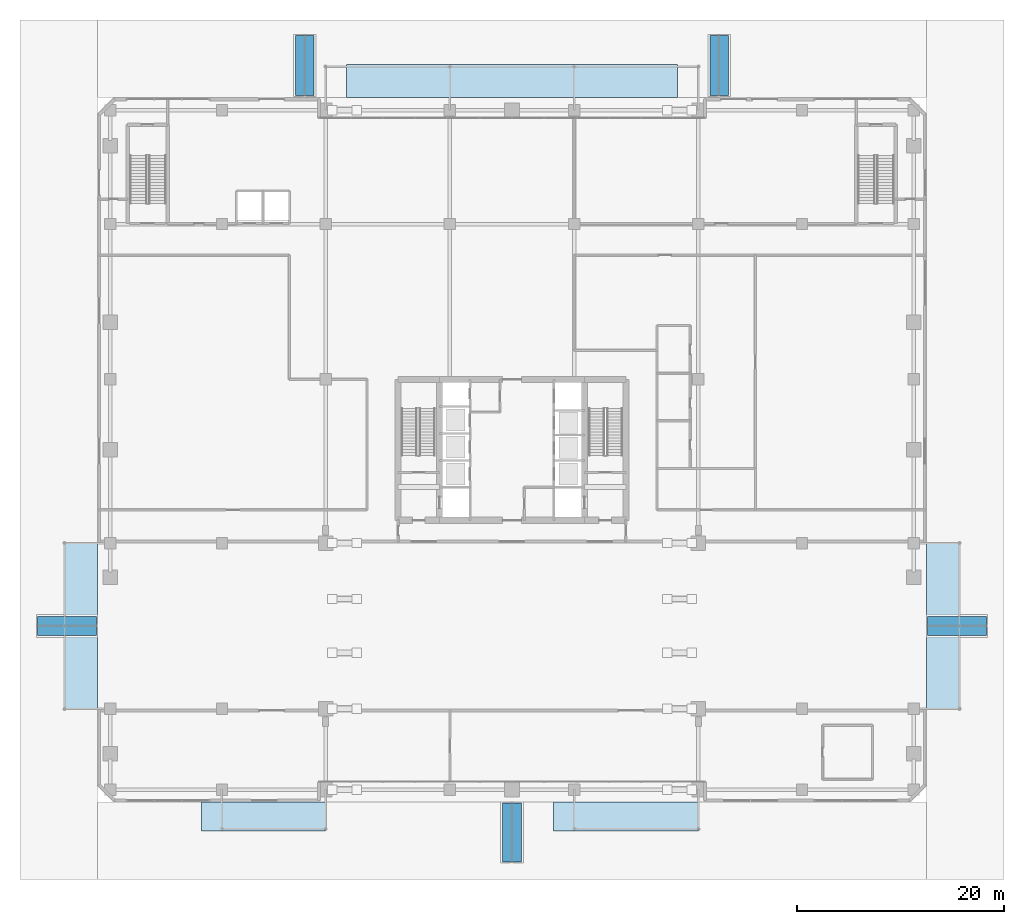
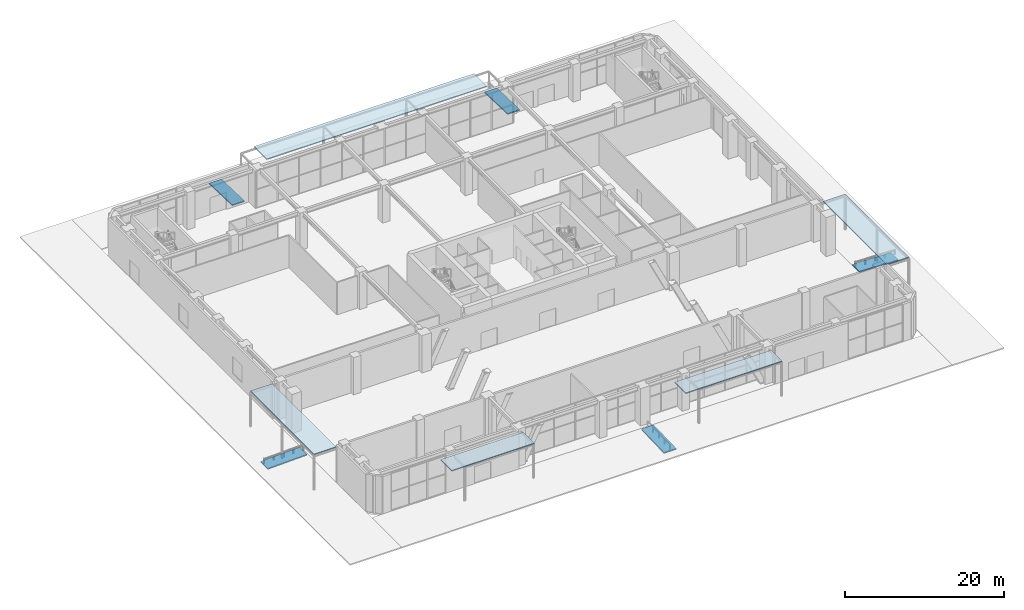
# One storey, part 41 of 49: 5 ramps, 5 ramp flights, 5 roofs.
"""IFC4 building model written with IfcOpenShell, lengths in metres."""

import ifcopenshell
import ifcopenshell.guid

model = None  # the IFC model being written
_history = None  # IfcOwnerHistory: only IFC2X3 demands one
_inside = {}  # id of a spatial element -> (the spatial element, [elements in it])
_under = {}  # id of a project, library or spatial element -> (it, [spatial elements below it])
_declared = {}  # id of a project -> (the project, [libraries it declares])
_typed = {}  # id of a type object -> (the type object, [elements of that type])
_made_of = {}  # id of a material, layer set ... -> (it, [elements and type objects made of it])


def new_model(schema):
    """Start an empty IFC model of exactly this schema.

    Asked for "IFC4X3", IfcOpenShell would pick the latest addendum, in which some entities
    have other attributes; the version numbers below select the first issue.
    IFC2X3 requires an IfcOwnerHistory on every rooted entity: one is made here for all.
    """
    global model, _history
    if schema == "IFC4X3":
        model = ifcopenshell.file(schema_version=(4, 3, 0, 0))
    else:
        model = ifcopenshell.file(schema=schema)
    _inside.clear()
    _under.clear()
    _declared.clear()
    _typed.clear()
    _made_of.clear()
    _history = None
    if model.schema == "IFC2X3":
        org = make("IfcOrganization", Name="unknown")
        user = make(
            "IfcPersonAndOrganization",
            ThePerson=make("IfcPerson", FamilyName="unknown"),
            TheOrganization=org,
        )
        app = make(
            "IfcApplication",
            ApplicationDeveloper=org,
            Version="unknown",
            ApplicationFullName="unknown",
            ApplicationIdentifier="unknown",
        )
        _history = make(
            "IfcOwnerHistory",
            OwningUser=user,
            OwningApplication=app,
            ChangeAction="ADDED",
            CreationDate=0,
        )
    return model


def make(cls, **values):
    """One entity of the class cls with the attributes given. An attribute that is None is left unset."""
    return model.create_entity(
        cls, **{name: value for name, value in values.items() if value is not None}
    )


def rooted(cls, **values):
    """An entity with a GlobalId (a new one), such as an element, a storey or a relation."""
    return make(cls, GlobalId=ifcopenshell.guid.new(), OwnerHistory=_history, **values)


def si_unit(unit_type, name, prefix=None):
    """IfcSIUnit, for example si_unit("LENGTHUNIT", "METRE", prefix="MILLI")."""
    return make("IfcSIUnit", UnitType=unit_type, Prefix=prefix, Name=name)


def assignment(units):
    """IfcUnitAssignment: the units of a project."""
    return None if units is None else make("IfcUnitAssignment", Units=units)


def point(xyz):
    """IfcCartesianPoint."""
    return None if xyz is None else make("IfcCartesianPoint", Coordinates=xyz)


def direction(xyz):
    """IfcDirection."""
    return None if xyz is None else make("IfcDirection", DirectionRatios=xyz)


def frame(location, z_axis=None, x_axis=None):
    """IfcAxis2Placement3D, a coordinate frame: its origin and axes. An axis left out is left unset."""
    return make(
        "IfcAxis2Placement3D",
        Location=point(location),
        Axis=direction(z_axis),
        RefDirection=direction(x_axis),
    )


def origin():
    """The frame at (0, 0, 0) with its axes left unset."""
    return frame((0.0, 0.0, 0.0))


def place(relative_to, where):
    """IfcLocalPlacement: puts the frame where relative to a parent placement (None: the world)."""
    return make(
        "IfcLocalPlacement", PlacementRelTo=relative_to, RelativePlacement=where
    )


def context(
    kind, dimensions, precision=None, world=None, true_north=None, identifier=None
):
    """IfcGeometricRepresentationContext, for example the 3D "Model" context."""
    return make(
        "IfcGeometricRepresentationContext",
        ContextIdentifier=identifier,
        ContextType=kind,
        CoordinateSpaceDimension=dimensions,
        Precision=precision,
        WorldCoordinateSystem=world,
        TrueNorth=true_north,
    )


def subcontext(parent, identifier, kind, view, scale=None):
    """IfcGeometricRepresentationSubContext, for example "Body" below "Model"."""
    return make(
        "IfcGeometricRepresentationSubContext",
        ContextIdentifier=identifier,
        ContextType=kind,
        ParentContext=parent,
        TargetScale=scale,
        TargetView=view,
    )


def project(units=None, contexts=None):
    """IfcProject with its units and contexts."""
    return rooted(
        "IfcProject",
        Name="project",
        RepresentationContexts=contexts,
        UnitsInContext=assignment(units),
    )


def spatial(cls, under=None, at=None, **own):
    """A site, building, storey or space (cls), placed at a placement, below another one or the project."""
    s = rooted(cls, ObjectPlacement=at, **own)
    if under is not None:
        _under.setdefault(under.id(), (under, []))[1].append(s)
    return s


def polyline(points):
    """IfcPolyline through the points."""
    return make("IfcPolyline", Points=[point(p) for p in points])


def outline(outer, holes=None, kind="AREA"):
    """IfcArbitraryClosedProfileDef: a profile drawn as a closed curve; with holes, ...WithVoids."""
    if holes is None:
        return make("IfcArbitraryClosedProfileDef", ProfileType=kind, OuterCurve=outer)
    return make(
        "IfcArbitraryProfileDefWithVoids",
        ProfileType=kind,
        OuterCurve=outer,
        InnerCurves=holes,
    )


def extrude(swept, where, along, depth):
    """IfcExtrudedAreaSolid: the profile swept, set in the frame where, extruded along a direction by depth."""
    return make(
        "IfcExtrudedAreaSolid",
        SweptArea=swept,
        Position=where,
        ExtrudedDirection=direction(along),
        Depth=depth,
    )


def shape(context_of_items, identifier, shape_type, items):
    """IfcShapeRepresentation: the items that make up one representation, for example the "Body"."""
    return make(
        "IfcShapeRepresentation",
        ContextOfItems=context_of_items,
        RepresentationIdentifier=identifier,
        RepresentationType=shape_type,
        Items=items,
    )


def material(Name=None, Category=None):
    """IfcMaterial."""
    return make("IfcMaterial", Name=Name, Category=Category)


def made_of(thing, what):
    """Note that an element or type object is made of a material, layer set ...; save() writes the relation."""
    if what is not None:
        _made_of.setdefault(what.id(), (what, []))[1].append(thing)
    return thing


def element(
    cls,
    number,
    at=None,
    inside=None,
    cuts=None,
    type_object=None,
    material=None,
    context=None,
    identifier="Body",
    shape_type=None,
    held_by="IfcProductDefinitionShape",
    body=None,
    shapes=None,
    **own,
):
    """One element of the class cls, such as IfcWall. Its Tag is "e" and its number.

    at: its placement. inside: the storey or other place that contains it. cuts: it is an
    opening in that element (IfcRelVoidsElement). A single representation is given by context,
    identifier, shape_type and body (its items); several are given by shapes. held_by: the class
    of the entity that holds the representations. save() writes the other relations.
    """
    e = rooted(cls, Tag="e%d" % number, ObjectPlacement=at, **own)
    if body is not None:
        shapes = [shape(context, identifier, shape_type, body)]
    if shapes is not None:
        e.Representation = make(held_by, Representations=shapes)
    if inside is not None:
        _inside.setdefault(inside.id(), (inside, []))[1].append(e)
    if cuts is not None:
        rooted(
            "IfcRelVoidsElement", RelatingBuildingElement=cuts, RelatedOpeningElement=e
        )
    if type_object is not None:
        _typed.setdefault(type_object.id(), (type_object, []))[1].append(e)
    return made_of(e, material)


def aggregate(whole, parts):
    """IfcRelAggregates: a whole, such as a stair, and the parts it consists of."""
    return rooted("IfcRelAggregates", RelatingObject=whole, RelatedObjects=parts)


def save(model, path):
    """Write the relations noted so far, then the file.

    IfcRelAggregates (storeys below a building ...), IfcRelContainedInSpatialStructure (elements
    in a storey), IfcRelDefinesByType, IfcRelAssociatesMaterial and IfcRelDeclares: one each for
    every whole, place, type object, material and project.
    """
    for whole, parts in _under.values():
        aggregate(whole, parts)
    for where, things in _inside.values():
        rooted(
            "IfcRelContainedInSpatialStructure",
            RelatedElements=things,
            RelatingStructure=where,
        )
    for kind, things in _typed.values():
        rooted("IfcRelDefinesByType", RelatedObjects=things, RelatingType=kind)
    for what, things in _made_of.values():
        rooted("IfcRelAssociatesMaterial", RelatedObjects=things, RelatingMaterial=what)
    for by, libraries in _declared.values():
        rooted("IfcRelDeclares", RelatingContext=by, RelatedDefinitions=libraries)
    model.write(path)


model = new_model("IFC4")

# Units and contexts
model_context = context("Model", 3, precision=1e-05, world=origin(), true_north=direction((0.0, 1.0)))
body_context = subcontext(model_context, "Body", "Model", "MODEL_VIEW")
ifc_project = project(units=[si_unit("LENGTHUNIT", "METRE"), si_unit("AREAUNIT", "SQUARE_METRE"), si_unit("VOLUMEUNIT", "CUBIC_METRE"), si_unit("PLANEANGLEUNIT", "RADIAN"), si_unit("MASSUNIT", "GRAM", prefix="KILO")], contexts=[model_context])

# Site, building, storey
site_placement = place(None, origin())
site = spatial("IfcSite", under=ifc_project, at=site_placement, CompositionType="ELEMENT")
building_placement = place(site_placement, origin())
building = spatial("IfcBuilding", under=site, at=building_placement, Name="Sarneth Arch Tower", CompositionType="ELEMENT")
storey_placement = place(building_placement, origin())
storey = spatial("IfcBuildingStorey", under=building, at=storey_placement, Name="L00", CompositionType="ELEMENT", Elevation=0.0)

# Ramp, ramp flight
ifc_material_1 = material(Name="Concrete C40/50", Category="concrete")
ramp_1_placement = place(storey_placement, frame((27.10009765625, 82.0, -0.179931640625), z_axis=(0.0, 0.031007518395, 0.999519151294), x_axis=(1.0, 0.0, 0.0)))
ramp_1 = element("IfcRamp", 1, at=ramp_1_placement, inside=storey, material=ifc_material_1, Name="Accessible entrance ramp RMP-PLAZA-N1", PredefinedType="STRAIGHT_RUN_RAMP", context=body_context, shape_type="SweptSolid", body=[
    extrude(outline(polyline([(0.0, 0.0), (1.7998046875, 0.0), (1.7998046875, -5.802839115806346), (0.0, -5.802839115806346), (0.0, 0.0)])), origin(), (0.0, 0.0, -1.0), 0.179931640625),
])
ramp_flight_1_placement = place(storey_placement, frame((27.10009765625, 82.0, -0.179931640625), z_axis=(0.0, 0.031007518395, 0.999519151294), x_axis=(1.0, 0.0, 0.0)))
ramp_flight_1 = element("IfcRampFlight", 2, at=ramp_flight_1_placement, material=ifc_material_1, Name="Accessible ramp flight RMP-PLAZA-N1", PredefinedType="STRAIGHT", context=body_context, shape_type="SweptSolid", body=[
    extrude(outline(polyline([(0.0, 0.0), (1.7998046875, 0.0), (1.7998046875, -5.802839115806346), (0.0, -5.802839115806346), (0.0, 0.0)])), origin(), (0.0, 0.0, -1.0), 0.179931640625),
])
aggregate(ramp_1, [ramp_flight_1])

ramp_2_placement = place(storey_placement, frame((67.10009765625, 82.0, -0.179931640625), z_axis=(0.0, 0.031007518395, 0.999519151294), x_axis=(1.0, 0.0, 0.0)))
ramp_2 = element("IfcRamp", 3, at=ramp_2_placement, inside=storey, material=ifc_material_1, Name="Accessible entrance ramp RMP-PLAZA-N2", PredefinedType="STRAIGHT_RUN_RAMP", context=body_context, shape_type="SweptSolid", body=[
    extrude(outline(polyline([(0.0, 0.0), (1.7998046875, 0.0), (1.7998046875, -5.802839115806346), (0.0, -5.802839115806346), (0.0, 0.0)])), origin(), (0.0, 0.0, -1.0), 0.179931640625),
])
ramp_flight_2_placement = place(storey_placement, frame((67.10009765625, 82.0, -0.179931640625), z_axis=(0.0, 0.031007518395, 0.999519151294), x_axis=(1.0, 0.0, 0.0)))
ramp_flight_2 = element("IfcRampFlight", 4, at=ramp_flight_2_placement, material=ifc_material_1, Name="Accessible ramp flight RMP-PLAZA-N2", PredefinedType="STRAIGHT", context=body_context, shape_type="SweptSolid", body=[
    extrude(outline(polyline([(0.0, 0.0), (1.7998046875, 0.0), (1.7998046875, -5.802839115806346), (0.0, -5.802839115806346), (0.0, 0.0)])), origin(), (0.0, 0.0, -1.0), 0.179931640625),
])
aggregate(ramp_2, [ramp_flight_2])

ramp_3_placement = place(storey_placement, frame((2.199951171875, 24.10009765625, -0.179931640625), z_axis=(-0.031551508449, 0.0, 0.999502127219), x_axis=(0.999502127219, 0.0, 0.031551508449)))
ramp_3 = element("IfcRamp", 5, at=ramp_3_placement, inside=storey, material=ifc_material_1, Name="Accessible entrance ramp RMP-PLAZA-W", PredefinedType="STRAIGHT_RUN_RAMP", context=body_context, shape_type="SweptSolid", body=[
    extrude(outline(polyline([(0.0, 0.0), (5.702790436010882, 0.0), (5.702790436010882, 1.7998046875), (0.0, 1.7998046875), (0.0, 0.0)])), origin(), (0.0, 0.0, -1.0), 0.179931640625),
])
ramp_flight_3_placement = place(storey_placement, frame((2.199951171875, 24.10009765625, -0.179931640625), z_axis=(-0.031551508449, 0.0, 0.999502127219), x_axis=(0.999502127219, 0.0, 0.031551508449)))
ramp_flight_3 = element("IfcRampFlight", 6, at=ramp_flight_3_placement, material=ifc_material_1, Name="Accessible ramp flight RMP-PLAZA-W", PredefinedType="STRAIGHT", context=body_context, shape_type="SweptSolid", body=[
    extrude(outline(polyline([(0.0, 0.0), (5.702790436010882, 0.0), (5.702790436010882, 1.7998046875), (0.0, 1.7998046875), (0.0, 0.0)])), origin(), (0.0, 0.0, -1.0), 0.179931640625),
])
aggregate(ramp_3, [ramp_flight_3])

ramp_4_placement = place(storey_placement, frame((93.800048828125, 24.10009765625, -0.179931640625), z_axis=(0.031551508449, 0.0, 0.999502127219), x_axis=(-0.999502127219, 0.0, 0.031551508449)))
ramp_4 = element("IfcRamp", 7, at=ramp_4_placement, inside=storey, material=ifc_material_1, Name="Accessible entrance ramp RMP-PLAZA-E", PredefinedType="STRAIGHT_RUN_RAMP", context=body_context, shape_type="SweptSolid", body=[
    extrude(outline(polyline([(0.0, 0.0), (5.702790436010882, 0.0), (5.702790436010882, -1.7998046875), (0.0, -1.7998046875), (0.0, 0.0)])), origin(), (0.0, 0.0, -1.0), 0.179931640625),
])
ramp_flight_4_placement = place(storey_placement, frame((93.800048828125, 24.10009765625, -0.179931640625), z_axis=(0.031551508449, 0.0, 0.999502127219), x_axis=(-0.999502127219, 0.0, 0.031551508449)))
ramp_flight_4 = element("IfcRampFlight", 8, at=ramp_flight_4_placement, material=ifc_material_1, Name="Accessible ramp flight RMP-PLAZA-E", PredefinedType="STRAIGHT", context=body_context, shape_type="SweptSolid", body=[
    extrude(outline(polyline([(0.0, 0.0), (5.702790436010882, 0.0), (5.702790436010882, -1.7998046875), (0.0, -1.7998046875), (0.0, 0.0)])), origin(), (0.0, 0.0, -1.0), 0.179931640625),
])
aggregate(ramp_4, [ramp_flight_4])

ramp_5_placement = place(storey_placement, frame((47.10009765625, 2.199951171875, -0.179931640625), z_axis=(0.0, -0.031551508449, 0.999502127219), x_axis=(1.0, 0.0, 0.0)))
ramp_5 = element("IfcRamp", 9, at=ramp_5_placement, inside=storey, material=ifc_material_1, Name="Accessible entrance ramp RMP-PLAZA-S", PredefinedType="STRAIGHT_RUN_RAMP", context=body_context, shape_type="SweptSolid", body=[
    extrude(outline(polyline([(0.0, 0.0), (1.7998046875, 0.0), (1.7998046875, 5.702790436010883), (0.0, 5.702790436010883), (0.0, 0.0)])), origin(), (0.0, 0.0, -1.0), 0.179931640625),
])
ramp_flight_5_placement = place(storey_placement, frame((47.10009765625, 2.199951171875, -0.179931640625), z_axis=(0.0, -0.031551508449, 0.999502127219), x_axis=(1.0, 0.0, 0.0)))
ramp_flight_5 = element("IfcRampFlight", 10, at=ramp_flight_5_placement, material=ifc_material_1, Name="Accessible ramp flight RMP-PLAZA-S", PredefinedType="STRAIGHT", context=body_context, shape_type="SweptSolid", body=[
    extrude(outline(polyline([(0.0, 0.0), (1.7998046875, 0.0), (1.7998046875, 5.702790436010883), (0.0, 5.702790436010883), (0.0, 0.0)])), origin(), (0.0, 0.0, -1.0), 0.179931640625),
])
aggregate(ramp_5, [ramp_flight_5])

# Roofs
ifc_material_2 = material(Name="Laminated safety glass on Steel S355", Category="glass")
roof_1_placement = place(storey_placement, frame((0.0, 0.0, 5.2919921875)))
element("IfcRoof", 11, at=roof_1_placement, inside=storey, material=ifc_material_2, Name="Entrance glass canopy NORTH", PredefinedType="FLAT_ROOF", context=body_context, shape_type="SweptSolid", body=[
    extrude(outline(polyline([(32.0, 76.0), (64.0, 76.0), (64.0, 79.199951171875), (32.0, 79.199951171875), (32.0, 76.0)])), origin(), (0.0, 0.0, 1.0), 0.139892578125),
])
roof_2_placement = place(storey_placement, frame((0.0, 0.0, 5.2919921875)))
element("IfcRoof", 12, at=roof_2_placement, inside=storey, material=ifc_material_2, Name="Entrance glass canopy ARCH-W", PredefinedType="FLAT_ROOF", context=body_context, shape_type="SweptSolid", body=[
    extrude(outline(polyline([(4.800048828125, 17.0), (8.0, 17.0), (8.0, 33.0), (4.800048828125, 33.0), (4.800048828125, 17.0)])), origin(), (0.0, 0.0, 1.0), 0.139892578125),
])
roof_3_placement = place(storey_placement, frame((0.0, 0.0, 5.2919921875)))
element("IfcRoof", 13, at=roof_3_placement, inside=storey, material=ifc_material_2, Name="Entrance glass canopy ARCH-E", PredefinedType="FLAT_ROOF", context=body_context, shape_type="SweptSolid", body=[
    extrude(outline(polyline([(88.0, 17.0), (91.199951171875, 17.0), (91.199951171875, 33.0), (88.0, 33.0), (88.0, 17.0)])), origin(), (0.0, 0.0, 1.0), 0.139892578125),
])
roof_4_placement = place(storey_placement, frame((0.0, 0.0, 5.2919921875)))
element("IfcRoof", 14, at=roof_4_placement, inside=storey, material=ifc_material_2, Name="Entrance glass canopy SOUTH-W", PredefinedType="FLAT_ROOF", context=body_context, shape_type="SweptSolid", body=[
    extrude(outline(polyline([(18.0, 5.199951171875), (30.0, 5.199951171875), (30.0, 8.0), (18.0, 8.0), (18.0, 5.199951171875)])), origin(), (0.0, 0.0, 1.0), 0.139892578125),
])
roof_5_placement = place(storey_placement, frame((0.0, 0.0, 5.2919921875)))
element("IfcRoof", 15, at=roof_5_placement, inside=storey, material=ifc_material_2, Name="Entrance glass canopy SOUTH-E", PredefinedType="FLAT_ROOF", context=body_context, shape_type="SweptSolid", body=[
    extrude(outline(polyline([(52.0, 5.199951171875), (66.0, 5.199951171875), (66.0, 8.0), (52.0, 8.0), (52.0, 5.199951171875)])), origin(), (0.0, 0.0, 1.0), 0.139892578125),
])

save(model, "model.ifc")
